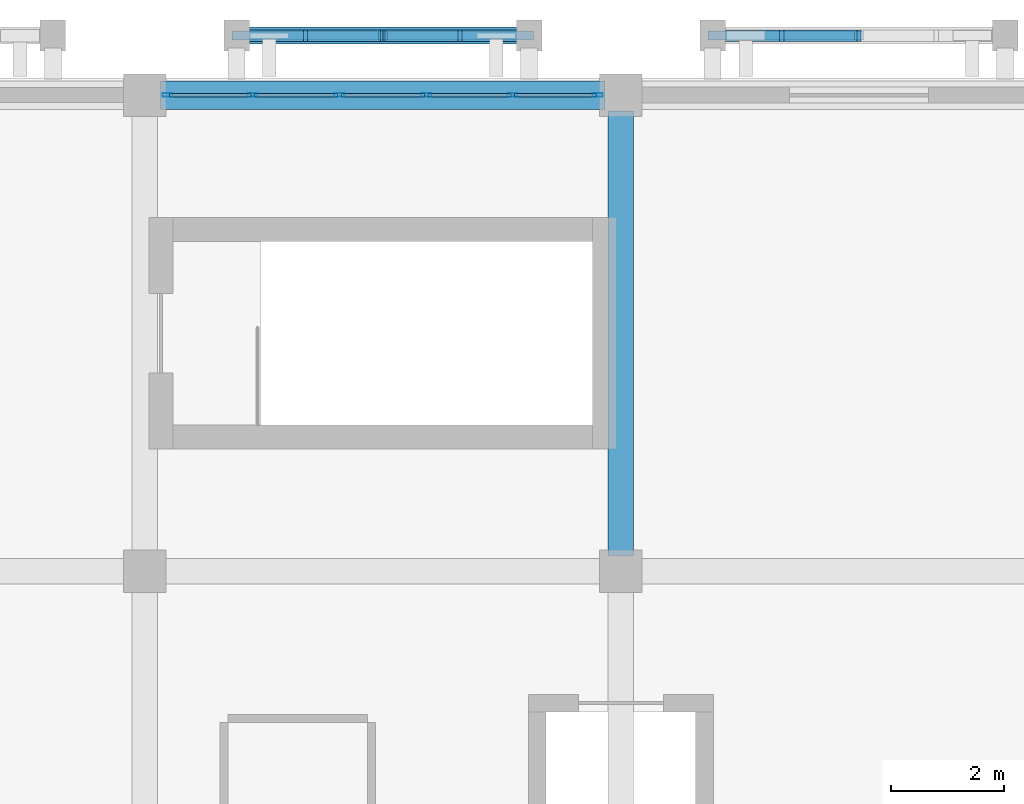
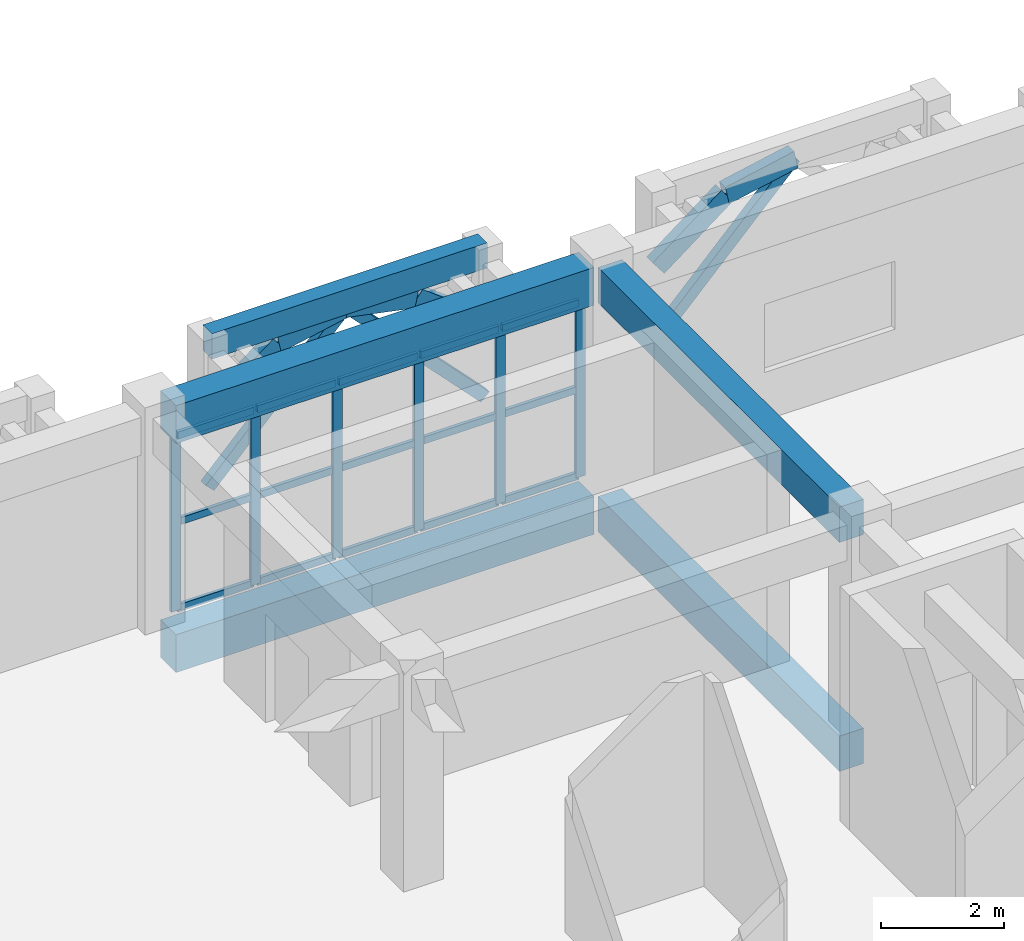
# One storey, part 75 of 114: 30 members, 5 beams, 1 element without a shape of its own.
"""IFC4 building model written with IfcOpenShell, lengths in metres."""

from ifc_helpers import new_model, si_unit, direction, frame, origin, origin_2d, place, context, subcontext, project, spatial, rectangle, hollow_rectangle, extrude, material, layer, layer_set, material_profile, profile_set, type_object, element, aggregate, save


model = new_model("IFC4")

# Units and contexts
model_context = context("Model", 3, precision=1e-05, world=origin(), true_north=direction((0.0, 1.0)))
body_context = subcontext(model_context, "Body", "Model", "MODEL_VIEW")
ifc_project = project(units=[si_unit("LENGTHUNIT", "METRE"), si_unit("AREAUNIT", "SQUARE_METRE"), si_unit("VOLUMEUNIT", "CUBIC_METRE"), si_unit("PLANEANGLEUNIT", "RADIAN"), si_unit("MASSUNIT", "GRAM", prefix="KILO")], contexts=[model_context])

# Site, building, storey
site_placement = place(None, origin())
site = spatial("IfcSite", under=ifc_project, at=site_placement, CompositionType="ELEMENT")
building_placement = place(site_placement, origin())
building = spatial("IfcBuilding", under=site, at=building_placement, Name="Xazarin Passage Department Store", CompositionType="ELEMENT")
storey_placement = place(building_placement, frame((0.0, 0.0, 14.39990234375)))
storey = spatial("IfcBuildingStorey", under=building, at=storey_placement, Name="L03", CompositionType="ELEMENT", Elevation=14.39990234375)

# Curtain wall, members
ifc_material_1 = material(Name="Bronze anodised aluminium", Category="aluminium")
ifc_layer = layer(ifc_material_1, 0.1650390625)
ifc_layer_set = layer_set([ifc_layer], Name="Bronze anodised aluminium")
curtain_wall_type = type_object("IfcCurtainWallType", Name="ARC-CW-OFF1", PredefinedType="NOTDEFINED", material=ifc_layer_set)
curtain_wall_placement = place(storey_placement, origin())
curtain_wall = element("IfcCurtainWall", 1, at=curtain_wall_placement, inside=storey, type_object=curtain_wall_type, Name="L03 V4 Curtain Wall 138", PredefinedType="NOTDEFINED")
ifc_material_profile_1 = material_profile(ifc_material_1, hollow_rectangle(XDim=0.06494140625, YDim=0.179931640625, WallThickness=0.00390625, at=origin_2d()), Name="ALU 65x180")
ifc_profile_set_1 = profile_set([ifc_material_profile_1], Name="Bronze anodised aluminium")
member_type_1 = type_object("IfcMemberType", Name="ARC-CWM-65x180", PredefinedType="MULLION", material=ifc_profile_set_1)
member_1_placement = place(storey_placement, frame((111.20751953125, 110.0, 0.0), z_axis=(0.0, 0.0, 1.0), x_axis=(0.0, 1.0, 0.0)))
member_1 = element("IfcMember", 2, at=member_1_placement, type_object=member_type_1, Name="CW6 mullion 1", PredefinedType="MULLION", context=body_context, shape_type="SweptSolid", body=[
    extrude(hollow_rectangle(XDim=0.06494140625, YDim=0.179931640625, WallThickness=0.00390625, at=origin_2d()), origin(), (0.0, 0.0, 1.0), 3.489990234375),
])
member_2_placement = place(storey_placement, frame((112.705078125, 110.0, 0.0), z_axis=(0.0, 0.0, 1.0), x_axis=(0.0, 1.0, 0.0)))
member_2 = element("IfcMember", 3, at=member_2_placement, type_object=member_type_1, Name="CW6 mullion 2", PredefinedType="MULLION", context=body_context, shape_type="SweptSolid", body=[
    extrude(hollow_rectangle(XDim=0.06494140625, YDim=0.179931640625, WallThickness=0.00390625, at=origin_2d()), origin(), (0.0, 0.0, 1.0), 3.489990234375),
])
member_3_placement = place(storey_placement, frame((114.235107421875, 110.0, 0.0), z_axis=(0.0, 0.0, 1.0), x_axis=(0.0, 1.0, 0.0)))
member_3 = element("IfcMember", 4, at=member_3_placement, type_object=member_type_1, Name="CW6 mullion 3", PredefinedType="MULLION", context=body_context, shape_type="SweptSolid", body=[
    extrude(hollow_rectangle(XDim=0.06494140625, YDim=0.179931640625, WallThickness=0.00390625, at=origin_2d()), origin(), (0.0, 0.0, 1.0), 3.489990234375),
])
member_4_placement = place(storey_placement, frame((115.764892578125, 110.0, 0.0), z_axis=(0.0, 0.0, 1.0), x_axis=(0.0, 1.0, 0.0)))
member_4 = element("IfcMember", 5, at=member_4_placement, type_object=member_type_1, Name="CW6 mullion 4", PredefinedType="MULLION", context=body_context, shape_type="SweptSolid", body=[
    extrude(hollow_rectangle(XDim=0.06494140625, YDim=0.179931640625, WallThickness=0.00390625, at=origin_2d()), origin(), (0.0, 0.0, 1.0), 3.489990234375),
])
member_5_placement = place(storey_placement, frame((117.294921875, 110.0, 0.0), z_axis=(0.0, 0.0, 1.0), x_axis=(0.0, 1.0, 0.0)))
member_5 = element("IfcMember", 6, at=member_5_placement, type_object=member_type_1, Name="CW6 mullion 5", PredefinedType="MULLION", context=body_context, shape_type="SweptSolid", body=[
    extrude(hollow_rectangle(XDim=0.06494140625, YDim=0.179931640625, WallThickness=0.00390625, at=origin_2d()), origin(), (0.0, 0.0, 1.0), 3.489990234375),
])
member_6_placement = place(storey_placement, frame((118.79248046875, 110.0, 0.0), z_axis=(0.0, 0.0, 1.0), x_axis=(0.0, 1.0, 0.0)))
member_6 = element("IfcMember", 7, at=member_6_placement, type_object=member_type_1, Name="CW6 mullion 6", PredefinedType="MULLION", context=body_context, shape_type="SweptSolid", body=[
    extrude(hollow_rectangle(XDim=0.06494140625, YDim=0.179931640625, WallThickness=0.00390625, at=origin_2d()), origin(), (0.0, 0.0, 1.0), 3.489990234375),
])
ifc_material_profile_2 = material_profile(ifc_material_1, hollow_rectangle(XDim=0.06494140625, YDim=0.139892578125, WallThickness=0.00390625, at=origin_2d()), Name="ALU 65x140")
ifc_profile_set_2 = profile_set([ifc_material_profile_2], Name="Bronze anodised aluminium")
member_type_2 = type_object("IfcMemberType", Name="ARC-CWT-65x140", PredefinedType="USERDEFINED", material=ifc_profile_set_2)
member_7_placement = place(storey_placement, frame((111.239990234375, 110.0, 0.03271484375), z_axis=(1.0, 0.0, 0.0), x_axis=(0.0, 1.0, 0.0)))
member_7 = element("IfcMember", 8, at=member_7_placement, type_object=member_type_2, Name="CW6 transom 1.1", ObjectType="TRANSOM", PredefinedType="USERDEFINED", context=body_context, shape_type="SweptSolid", body=[
    extrude(hollow_rectangle(XDim=0.06494140625, YDim=0.139892578125, WallThickness=0.00390625, at=origin_2d()), origin(), (0.0, 0.0, 1.0), 1.4326171875),
])
member_8_placement = place(storey_placement, frame((111.239990234375, 110.0, 1.7451171875), z_axis=(1.0, 0.0, 0.0), x_axis=(0.0, 1.0, 0.0)))
member_8 = element("IfcMember", 9, at=member_8_placement, type_object=member_type_2, Name="CW6 transom 1.2", ObjectType="TRANSOM", PredefinedType="USERDEFINED", context=body_context, shape_type="SweptSolid", body=[
    extrude(hollow_rectangle(XDim=0.06494140625, YDim=0.139892578125, WallThickness=0.00390625, at=origin_2d()), origin(), (0.0, 0.0, 1.0), 1.4326171875),
])
member_9_placement = place(storey_placement, frame((111.239990234375, 110.0, 3.45751953125), z_axis=(1.0, 0.0, 0.0), x_axis=(0.0, 1.0, 0.0)))
member_9 = element("IfcMember", 10, at=member_9_placement, type_object=member_type_2, Name="CW6 transom 1.3", ObjectType="TRANSOM", PredefinedType="USERDEFINED", context=body_context, shape_type="SweptSolid", body=[
    extrude(hollow_rectangle(XDim=0.06494140625, YDim=0.139892578125, WallThickness=0.00390625, at=origin_2d()), origin(), (0.0, 0.0, 1.0), 1.4326171875),
])
member_10_placement = place(storey_placement, frame((112.737548828125, 110.0, 0.03271484375), z_axis=(1.0, 0.0, 0.0), x_axis=(0.0, 1.0, 0.0)))
member_10 = element("IfcMember", 11, at=member_10_placement, type_object=member_type_2, Name="CW6 transom 2.1", ObjectType="TRANSOM", PredefinedType="USERDEFINED", context=body_context, shape_type="SweptSolid", body=[
    extrude(hollow_rectangle(XDim=0.06494140625, YDim=0.139892578125, WallThickness=0.00390625, at=origin_2d()), origin(), (0.0, 0.0, 1.0), 1.46484375),
])
member_11_placement = place(storey_placement, frame((112.737548828125, 110.0, 1.7451171875), z_axis=(1.0, 0.0, 0.0), x_axis=(0.0, 1.0, 0.0)))
member_11 = element("IfcMember", 12, at=member_11_placement, type_object=member_type_2, Name="CW6 transom 2.2", ObjectType="TRANSOM", PredefinedType="USERDEFINED", context=body_context, shape_type="SweptSolid", body=[
    extrude(hollow_rectangle(XDim=0.06494140625, YDim=0.139892578125, WallThickness=0.00390625, at=origin_2d()), origin(), (0.0, 0.0, 1.0), 1.46484375),
])
member_12_placement = place(storey_placement, frame((112.737548828125, 110.0, 3.45751953125), z_axis=(1.0, 0.0, 0.0), x_axis=(0.0, 1.0, 0.0)))
member_12 = element("IfcMember", 13, at=member_12_placement, type_object=member_type_2, Name="CW6 transom 2.3", ObjectType="TRANSOM", PredefinedType="USERDEFINED", context=body_context, shape_type="SweptSolid", body=[
    extrude(hollow_rectangle(XDim=0.06494140625, YDim=0.139892578125, WallThickness=0.00390625, at=origin_2d()), origin(), (0.0, 0.0, 1.0), 1.46484375),
])
member_13_placement = place(storey_placement, frame((114.267578125, 110.0, 0.03271484375), z_axis=(1.0, 0.0, 0.0), x_axis=(0.0, 1.0, 0.0)))
member_13 = element("IfcMember", 14, at=member_13_placement, type_object=member_type_2, Name="CW6 transom 3.1", ObjectType="TRANSOM", PredefinedType="USERDEFINED", context=body_context, shape_type="SweptSolid", body=[
    extrude(hollow_rectangle(XDim=0.06494140625, YDim=0.139892578125, WallThickness=0.00390625, at=origin_2d()), origin(), (0.0, 0.0, 1.0), 1.46484375),
])
member_14_placement = place(storey_placement, frame((114.267578125, 110.0, 1.7451171875), z_axis=(1.0, 0.0, 0.0), x_axis=(0.0, 1.0, 0.0)))
member_14 = element("IfcMember", 15, at=member_14_placement, type_object=member_type_2, Name="CW6 transom 3.2", ObjectType="TRANSOM", PredefinedType="USERDEFINED", context=body_context, shape_type="SweptSolid", body=[
    extrude(hollow_rectangle(XDim=0.06494140625, YDim=0.139892578125, WallThickness=0.00390625, at=origin_2d()), origin(), (0.0, 0.0, 1.0), 1.46484375),
])
member_15_placement = place(storey_placement, frame((114.267578125, 110.0, 3.45751953125), z_axis=(1.0, 0.0, 0.0), x_axis=(0.0, 1.0, 0.0)))
member_15 = element("IfcMember", 16, at=member_15_placement, type_object=member_type_2, Name="CW6 transom 3.3", ObjectType="TRANSOM", PredefinedType="USERDEFINED", context=body_context, shape_type="SweptSolid", body=[
    extrude(hollow_rectangle(XDim=0.06494140625, YDim=0.139892578125, WallThickness=0.00390625, at=origin_2d()), origin(), (0.0, 0.0, 1.0), 1.46484375),
])
member_16_placement = place(storey_placement, frame((115.797607421875, 110.0, 0.03271484375), z_axis=(1.0, 0.0, 0.0), x_axis=(0.0, 1.0, 0.0)))
member_16 = element("IfcMember", 17, at=member_16_placement, type_object=member_type_2, Name="CW6 transom 4.1", ObjectType="TRANSOM", PredefinedType="USERDEFINED", context=body_context, shape_type="SweptSolid", body=[
    extrude(hollow_rectangle(XDim=0.06494140625, YDim=0.139892578125, WallThickness=0.00390625, at=origin_2d()), origin(), (0.0, 0.0, 1.0), 1.46484375),
])
member_17_placement = place(storey_placement, frame((115.797607421875, 110.0, 1.7451171875), z_axis=(1.0, 0.0, 0.0), x_axis=(0.0, 1.0, 0.0)))
member_17 = element("IfcMember", 18, at=member_17_placement, type_object=member_type_2, Name="CW6 transom 4.2", ObjectType="TRANSOM", PredefinedType="USERDEFINED", context=body_context, shape_type="SweptSolid", body=[
    extrude(hollow_rectangle(XDim=0.06494140625, YDim=0.139892578125, WallThickness=0.00390625, at=origin_2d()), origin(), (0.0, 0.0, 1.0), 1.46484375),
])
member_18_placement = place(storey_placement, frame((115.797607421875, 110.0, 3.45751953125), z_axis=(1.0, 0.0, 0.0), x_axis=(0.0, 1.0, 0.0)))
member_18 = element("IfcMember", 19, at=member_18_placement, type_object=member_type_2, Name="CW6 transom 4.3", ObjectType="TRANSOM", PredefinedType="USERDEFINED", context=body_context, shape_type="SweptSolid", body=[
    extrude(hollow_rectangle(XDim=0.06494140625, YDim=0.139892578125, WallThickness=0.00390625, at=origin_2d()), origin(), (0.0, 0.0, 1.0), 1.46484375),
])
member_19_placement = place(storey_placement, frame((117.327392578125, 110.0, 0.03271484375), z_axis=(1.0, 0.0, 0.0), x_axis=(0.0, 1.0, 0.0)))
member_19 = element("IfcMember", 20, at=member_19_placement, type_object=member_type_2, Name="CW6 transom 5.1", ObjectType="TRANSOM", PredefinedType="USERDEFINED", context=body_context, shape_type="SweptSolid", body=[
    extrude(hollow_rectangle(XDim=0.06494140625, YDim=0.139892578125, WallThickness=0.00390625, at=origin_2d()), origin(), (0.0, 0.0, 1.0), 1.4326171875),
])
member_20_placement = place(storey_placement, frame((117.327392578125, 110.0, 1.7451171875), z_axis=(1.0, 0.0, 0.0), x_axis=(0.0, 1.0, 0.0)))
member_20 = element("IfcMember", 21, at=member_20_placement, type_object=member_type_2, Name="CW6 transom 5.2", ObjectType="TRANSOM", PredefinedType="USERDEFINED", context=body_context, shape_type="SweptSolid", body=[
    extrude(hollow_rectangle(XDim=0.06494140625, YDim=0.139892578125, WallThickness=0.00390625, at=origin_2d()), origin(), (0.0, 0.0, 1.0), 1.4326171875),
])
member_21_placement = place(storey_placement, frame((117.327392578125, 110.0, 3.45751953125), z_axis=(1.0, 0.0, 0.0), x_axis=(0.0, 1.0, 0.0)))
member_21 = element("IfcMember", 22, at=member_21_placement, type_object=member_type_2, Name="CW6 transom 5.3", ObjectType="TRANSOM", PredefinedType="USERDEFINED", context=body_context, shape_type="SweptSolid", body=[
    extrude(hollow_rectangle(XDim=0.06494140625, YDim=0.139892578125, WallThickness=0.00390625, at=origin_2d()), origin(), (0.0, 0.0, 1.0), 1.4326171875),
])
aggregate(curtain_wall, [member_1, member_2, member_3, member_4, member_5, member_6, member_7, member_8, member_9, member_10, member_11, member_12, member_13, member_14, member_15, member_16, member_17, member_18, member_19, member_20, member_21])

# Beams
ifc_material_2 = material(Name="Concrete C35/45", Category="concrete")
ifc_material_profile_3 = material_profile(ifc_material_2, rectangle(XDim=0.449951171875, YDim=0.699951171875, at=origin_2d()), Name="RC 450x700")
ifc_profile_set_3 = profile_set([ifc_material_profile_3], Name="Concrete C35/45")
beam_type_1 = type_object("IfcBeamType", Name="STR-BM-G450x700", PredefinedType="BEAM", material=ifc_profile_set_3)
for number, where, z_axis, x_axis, name in (
    (23, (119.199951171875, 101.8798828125, -0.64990234375), (0.0, 1.0, 0.0), (-1.0, 0.0, 0.0), "L03 Grid Beam 17/P-Q"),
    (24, (119.199951171875, 101.8798828125, 3.89013671875), (0.0, 1.0, 0.0), (-1.0, 0.0, 0.0), "L03 Grid Beam 17/P-Q"),
):
    element("IfcBeam", number, at=place(storey_placement, frame(where, z_axis=z_axis, x_axis=x_axis)), inside=storey, type_object=beam_type_1, Name=name, PredefinedType="BEAM", context=body_context, shape_type="SweptSolid", body=[
        extrude(rectangle(XDim=0.449951171875, YDim=0.699951171875, at=origin_2d()), origin(), (0.0, 0.0, 1.0), 7.840087890625),
    ])
ifc_material_profile_4 = material_profile(ifc_material_2, rectangle(XDim=0.300048828125, YDim=0.5, at=origin_2d()), Name="RC 300x500")
ifc_profile_set_4 = profile_set([ifc_material_profile_4], Name="Concrete C35/45")
beam_type_2 = type_object("IfcBeamType", Name="STR-BM-LN300x500", PredefinedType="LINTEL", material=ifc_profile_set_4)
beam_placement = place(storey_placement, frame((112.419921875, 111.050048828125, 4.25), z_axis=(1.0, 0.0, 0.0), x_axis=(0.0, 1.0, 0.0)))
element("IfcBeam", 25, at=beam_placement, inside=storey, type_object=beam_type_2, Name="L03 V4 Colonnade Spandrel Beam 041", PredefinedType="LINTEL", context=body_context, shape_type="SweptSolid", body=[
    extrude(rectangle(XDim=0.300048828125, YDim=0.5, at=origin_2d()), origin(), (0.0, 0.0, 1.0), 5.16015625),
])
ifc_material_profile_5 = material_profile(ifc_material_2, rectangle(XDim=0.5, YDim=0.75, at=origin_2d()), Name="RC 500x750")
ifc_profile_set_5 = profile_set([ifc_material_profile_5], Name="Concrete C35/45")
beam_type_3 = type_object("IfcBeamType", Name="STR-BM-SP500x750", PredefinedType="SPANDREL", material=ifc_profile_set_5)
for number, where, z_axis, x_axis, name in (
    (26, (111.080078125, 110.0, -0.6748046875), (1.0, 0.0, 0.0), (0.0, 1.0, 0.0), "L03 Grid Beam Q/16-17"),
    (27, (111.080078125, 110.0, 3.864990234375), (1.0, 0.0, 0.0), (0.0, 1.0, 0.0), "L03 Grid Beam Q/16-17"),
):
    element("IfcBeam", number, at=place(storey_placement, frame(where, z_axis=z_axis, x_axis=x_axis)), inside=storey, type_object=beam_type_3, Name=name, PredefinedType="SPANDREL", context=body_context, shape_type="SweptSolid", body=[
        extrude(rectangle(XDim=0.5, YDim=0.75, at=origin_2d()), origin(), (0.0, 0.0, 1.0), 7.83984375),
    ])

# Members
ifc_material_3 = material(Name="Concrete C40/50", Category="concrete")
ifc_material_profile_6 = material_profile(ifc_material_3, rectangle(XDim=0.199951171875, YDim=0.360107421875, at=origin_2d()), Name="RC 200x360")
ifc_profile_set_6 = profile_set([ifc_material_profile_6], Name="Concrete C40/50")
member_type_3 = type_object("IfcMemberType", Name="STR-MEM-ARC360", PredefinedType="CHORD", material=ifc_profile_set_6)
member_22_placement = place(storey_placement, frame((112.419921875, 111.050048828125, 2.830078125), z_axis=(0.79440903847, 0.0, 0.607383140692), x_axis=(0.0, 1.0, 0.0)))
element("IfcMember", 28, at=member_22_placement, inside=storey, type_object=member_type_3, Name="L03 V4 Pierced Lattice Curved Arch 041.1", PredefinedType="CHORD", context=body_context, shape_type="SweptSolid", body=[
    extrude(rectangle(XDim=0.199951171875, YDim=0.360107421875, at=origin_2d()), origin(), (0.0, 0.0, 1.0), 1.623779296875),
])
for number, where, z_axis, x_axis, name in (
    (29, (113.7099609375, 111.050048828125, 3.81640625), (0.979744705887, 0.0, 0.200250621188), (0.0, 1.0, 0.0), "L03 V4 Pierced Lattice Curved Arch 041.2"),
    (30, (115.0, 111.050048828125, 4.080078125), (0.979744705887, 0.0, -0.200250621188), (0.0, 1.0, 0.0), "L03 V4 Pierced Lattice Curved Arch 041.3"),
):
    element("IfcMember", number, at=place(storey_placement, frame(where, z_axis=z_axis, x_axis=x_axis)), inside=storey, type_object=member_type_3, Name=name, PredefinedType="CHORD", context=body_context, shape_type="SweptSolid", body=[
        extrude(rectangle(XDim=0.199951171875, YDim=0.360107421875, at=origin_2d()), origin(), (0.0, 0.0, 1.0), 1.316650390625),
    ])
for number, where, z_axis, x_axis, name in (
    (31, (116.2900390625, 111.050048828125, 3.81640625), (0.79440903847, 0.0, -0.607383140692), (0.0, 1.0, 0.0), "L03 V4 Pierced Lattice Curved Arch 041.4"),
    (32, (120.820068359375, 111.050048828125, 2.830078125), (0.79440903847, 0.0, 0.607383140692), (0.0, 1.0, 0.0), "L03 V4 Pierced Lattice Curved Arch 042.1"),
):
    element("IfcMember", number, at=place(storey_placement, frame(where, z_axis=z_axis, x_axis=x_axis)), inside=storey, type_object=member_type_3, Name=name, PredefinedType="CHORD", context=body_context, shape_type="SweptSolid", body=[
        extrude(rectangle(XDim=0.199951171875, YDim=0.360107421875, at=origin_2d()), origin(), (0.0, 0.0, 1.0), 1.623779296875),
    ])
member_23_placement = place(storey_placement, frame((122.110107421875, 111.050048828125, 3.81640625), z_axis=(0.979737268571, 0.0, 0.2002870055), x_axis=(0.0, 1.0, 0.0)))
element("IfcMember", 33, at=member_23_placement, inside=storey, type_object=member_type_3, Name="L03 V4 Pierced Lattice Curved Arch 042.2", PredefinedType="CHORD", context=body_context, shape_type="SweptSolid", body=[
    extrude(rectangle(XDim=0.199951171875, YDim=0.360107421875, at=origin_2d()), origin(), (0.0, 0.0, 1.0), 1.31640625),
])
ifc_material_profile_7 = material_profile(ifc_material_3, rectangle(XDim=0.159912109375, YDim=0.219970703125, at=origin_2d()), Name="RC 160x220")
ifc_profile_set_7 = profile_set([ifc_material_profile_7], Name="Concrete C40/50")
member_type_4 = type_object("IfcMemberType", Name="STR-MEM-TRC220", PredefinedType="CHORD", material=ifc_profile_set_7)
for number, where, z_axis, x_axis, name in (
    (34, (115.0, 111.050048828125, 4.080078125), (-0.693558444435, 0.0, -0.720400363793), (0.0, -1.0, 0.0), "L03 V4 Upper Lattice Tracery Arch 041L"),
    (35, (115.0, 111.050048828125, 4.080078125), (0.693558444435, 0.0, -0.720400363793), (0.0, 1.0, 0.0), "L03 V4 Upper Lattice Tracery Arch 041R"),
    (36, (123.39990234375, 111.050048828125, 4.080078125), (-0.693524382622, 0.0, -0.72043315492), (0.0, -1.0, 0.0), "L03 V4 Upper Lattice Tracery Arch 042L"),
):
    element("IfcMember", number, at=place(storey_placement, frame(where, z_axis=z_axis, x_axis=x_axis)), inside=storey, type_object=member_type_4, Name=name, PredefinedType="CHORD", context=body_context, shape_type="SweptSolid", body=[
        extrude(rectangle(XDim=0.159912109375, YDim=0.219970703125, at=origin_2d()), origin(), (0.0, 0.0, 1.0), 3.719970703125),
    ])

save(model, "model.ifc")
